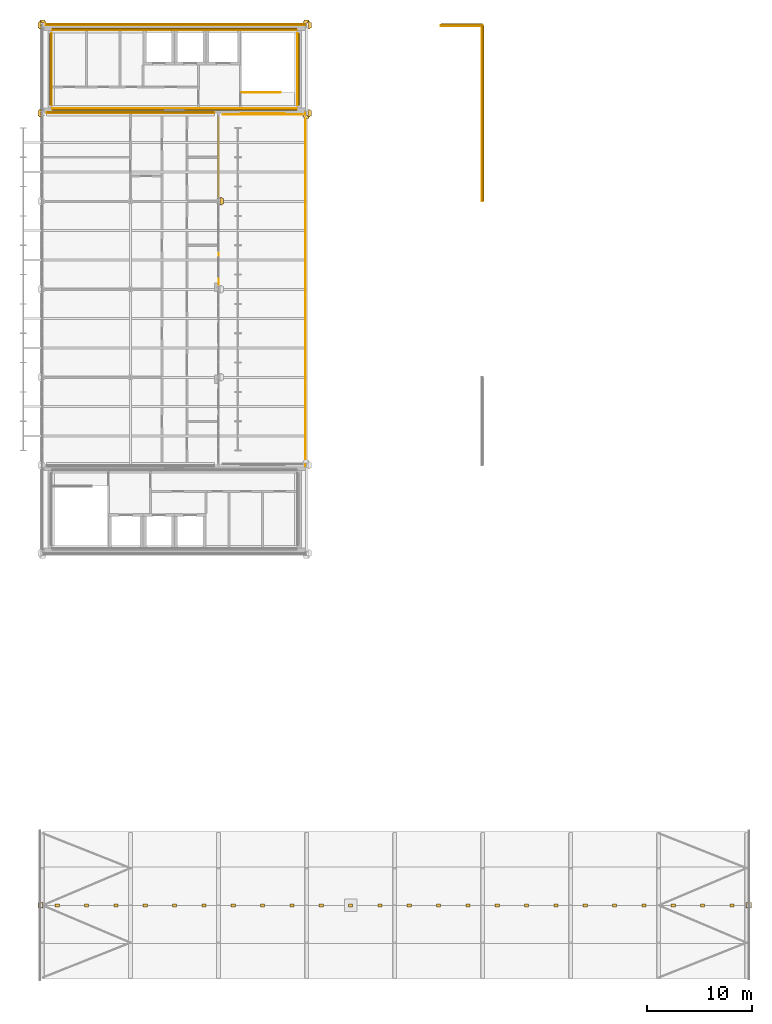
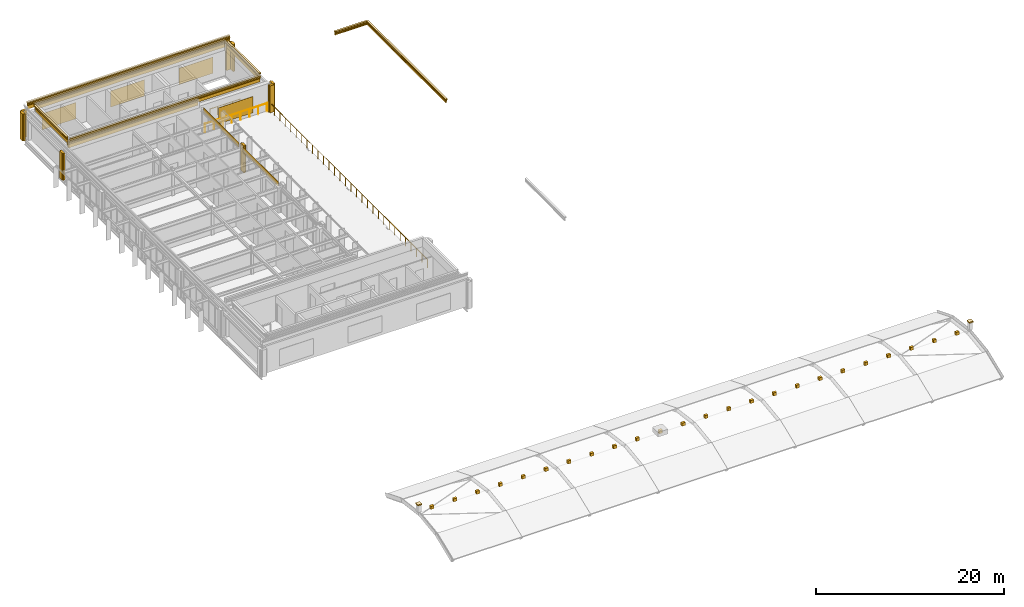
# One storey, part 31 of 31: 70 coverings, 3 railings.
"""IFC4 building model written with IfcOpenShell, lengths in metres."""

from ifc_helpers import new_model, si_unit, direction, frame, origin, origin_2d, place, context, subcontext, project, spatial, polyline, rectangle, circle, outline, extrude, material, layer, layer_set, type_object, element, save


model = new_model("IFC4")

# Units and contexts
model_context = context("Model", 3, precision=1e-05, world=origin(), true_north=direction((0.0, 1.0)))
body_context = subcontext(model_context, "Body", "Model", "MODEL_VIEW")
ifc_project = project(units=[si_unit("LENGTHUNIT", "METRE"), si_unit("AREAUNIT", "SQUARE_METRE"), si_unit("VOLUMEUNIT", "CUBIC_METRE"), si_unit("PLANEANGLEUNIT", "RADIAN"), si_unit("MASSUNIT", "GRAM", prefix="KILO")], contexts=[model_context])

# Site, building, storey
site_placement = place(None, origin())
site = spatial("IfcSite", under=ifc_project, at=site_placement, CompositionType="ELEMENT")
building_placement = place(site_placement, origin())
building = spatial("IfcBuilding", under=site, at=building_placement, Name="Catenary Quay Ferry Terminal", CompositionType="ELEMENT")
storey_placement = place(building_placement, frame((0.0, 0.0, 20.60009765625)))
storey = spatial("IfcBuildingStorey", under=building, at=storey_placement, Name="L04", CompositionType="ELEMENT", Elevation=20.60009765625)

# Coverings
ifc_material_1 = material(Name="Ceramic tile")
ifc_layer_1 = layer(ifc_material_1, 0.0400390625)
ifc_layer_set_1 = layer_set([ifc_layer_1], Name="CL2")
covering_type_1 = type_object("IfcCoveringType", Name="CL2", PredefinedType="CLADDING", material=ifc_layer_set_1)
covering_1_placement = place(storey_placement, origin())
element("IfcCovering", 1, at=covering_1_placement, inside=storey, type_object=covering_type_1, Name="Ceramic pier casing", PredefinedType="CLADDING", context=body_context, shape_type="SweptSolid", body=[
    extrude(outline(polyline([(25.050048828125, 201.949951171875), (24.8701171875, 201.949951171875), (24.8701171875, 201.85009765625), (24.75, 201.85009765625), (24.75, 201.35009765625), (24.8701171875, 201.35009765625), (24.8701171875, 201.25), (25.050048828125, 201.25), (25.050048828125, 201.949951171875)])), origin(), (0.0, 0.0, 1.0), 3.5),
])
covering_2_placement = place(storey_placement, origin())
element("IfcCovering", 2, at=covering_2_placement, inside=storey, type_object=covering_type_1, Name="Ceramic pier casing", PredefinedType="CLADDING", context=body_context, shape_type="SweptSolid", body=[
    extrude(outline(polyline([(25.050048828125, 210.35009765625), (24.8701171875, 210.35009765625), (24.8701171875, 210.25), (24.75, 210.25), (24.75, 209.75), (24.8701171875, 209.75), (24.8701171875, 209.64990234375), (25.050048828125, 209.64990234375), (25.050048828125, 210.35009765625)])), origin(), (0.0, 0.0, 1.0), 3.5),
])
covering_3_placement = place(storey_placement, origin())
element("IfcCovering", 3, at=covering_3_placement, inside=storey, type_object=covering_type_1, Name="Ceramic pier casing", PredefinedType="CLADDING", context=body_context, shape_type="SweptSolid", body=[
    extrude(outline(polyline([(25.550048828125, 210.199951171875), (25.550048828125, 210.3798828125), (25.449951171875, 210.3798828125), (25.449951171875, 210.5), (24.949951171875, 210.5), (24.949951171875, 210.3798828125), (24.85009765625, 210.3798828125), (24.85009765625, 210.199951171875), (25.550048828125, 210.199951171875)])), origin(), (0.0, 0.0, 1.0), 3.5),
])
covering_4_placement = place(storey_placement, origin())
element("IfcCovering", 4, at=covering_4_placement, inside=storey, type_object=covering_type_1, Name="Ceramic pier casing", PredefinedType="CLADDING", context=body_context, shape_type="SweptSolid", body=[
    extrude(outline(polyline([(50.550048828125, 201.25), (50.72998046875, 201.25), (50.72998046875, 201.35009765625), (50.85009765625, 201.35009765625), (50.85009765625, 201.85009765625), (50.72998046875, 201.85009765625), (50.72998046875, 201.949951171875), (50.550048828125, 201.949951171875), (50.550048828125, 201.25)])), origin(), (0.0, 0.0, 1.0), 3.5),
])
covering_5_placement = place(storey_placement, origin())
element("IfcCovering", 5, at=covering_5_placement, inside=storey, type_object=covering_type_1, Name="Ceramic pier casing", PredefinedType="CLADDING", context=body_context, shape_type="SweptSolid", body=[
    extrude(outline(polyline([(50.050048828125, 201.39990234375), (50.050048828125, 201.219970703125), (50.14990234375, 201.219970703125), (50.14990234375, 201.10009765625), (50.64990234375, 201.10009765625), (50.64990234375, 201.219970703125), (50.75, 201.219970703125), (50.75, 201.39990234375), (50.050048828125, 201.39990234375)])), origin(), (0.0, 0.0, 1.0), 3.5),
])
covering_6_placement = place(storey_placement, origin())
element("IfcCovering", 6, at=covering_6_placement, inside=storey, type_object=covering_type_1, Name="Ceramic pier casing", PredefinedType="CLADDING", context=body_context, shape_type="SweptSolid", body=[
    extrude(outline(polyline([(50.550048828125, 209.64990234375), (50.72998046875, 209.64990234375), (50.72998046875, 209.75), (50.85009765625, 209.75), (50.85009765625, 210.25), (50.72998046875, 210.25), (50.72998046875, 210.35009765625), (50.550048828125, 210.35009765625), (50.550048828125, 209.64990234375)])), origin(), (0.0, 0.0, 1.0), 3.5),
])
covering_7_placement = place(storey_placement, origin())
element("IfcCovering", 7, at=covering_7_placement, inside=storey, type_object=covering_type_1, Name="Ceramic pier casing", PredefinedType="CLADDING", context=body_context, shape_type="SweptSolid", body=[
    extrude(outline(polyline([(50.75, 210.199951171875), (50.75, 210.3798828125), (50.64990234375, 210.3798828125), (50.64990234375, 210.5), (50.14990234375, 210.5), (50.14990234375, 210.3798828125), (50.050048828125, 210.3798828125), (50.050048828125, 210.199951171875), (50.75, 210.199951171875)])), origin(), (0.0, 0.0, 1.0), 3.5),
])
covering_8_placement = place(storey_placement, origin())
element("IfcCovering", 8, at=covering_8_placement, inside=storey, type_object=covering_type_1, Name="Ceramic pier casing", PredefinedType="CLADDING", context=body_context, shape_type="SweptSolid", body=[
    extrude(outline(polyline([(42.14990234375, 192.85009765625), (42.330078125, 192.85009765625), (42.330078125, 192.949951171875), (42.449951171875, 192.949951171875), (42.449951171875, 193.449951171875), (42.330078125, 193.449951171875), (42.330078125, 193.550048828125), (42.14990234375, 193.550048828125), (42.14990234375, 192.85009765625)])), origin(), (0.0, 0.0, 1.0), 3.5),
])
ifc_material_2 = material(Name="Ceramic tile")
ifc_layer_2 = layer(ifc_material_2, 0.034912109375)
ifc_layer_set_2 = layer_set([ifc_layer_2], Name="CL5")
covering_type_2 = type_object("IfcCoveringType", Name="CL5", PredefinedType="CLADDING", material=ifc_layer_set_2)
for number, where, z_axis, x_axis, name in (
    (9, (29.39990234375, 210.017578125, 0.39990234375), (0.0, 0.0, 1.0), (1.0, 0.0, 0.0), "Core h210.0 cladding CV367"),
    (10, (37.800048828125, 210.017578125, 0.39990234375), (0.0, 0.0, 1.0), (1.0, 0.0, 0.0), "Core h210.0 cladding CV368"),
    (11, (46.199951171875, 210.017578125, 0.39990234375), (0.0, 0.0, 1.0), (1.0, 0.0, 0.0), "Core h210.0 cladding CV369"),
    (12, (46.199951171875, 201.58251953125, 0.39990234375), (0.0, 0.0, 1.0), (1.0, 0.0, 0.0), "Core h201.6 cladding CV370"),
):
    element("IfcCovering", number, at=place(storey_placement, frame(where, z_axis=z_axis, x_axis=x_axis)), inside=storey, type_object=covering_type_2, Name=name, PredefinedType="CLADDING", context=body_context, shape_type="SweptSolid", body=[
        extrude(rectangle(XDim=4.199951171875, YDim=0.034912109375, at=origin_2d()), origin(), (0.0, 0.0, 1.0), 2.10009765625),
    ])
ifc_material_3 = material(Name="Glazed ceramic tile, ochre")
ifc_layer_3 = layer(ifc_material_3, 0.030029296875)
ifc_layer_set_3 = layer_set([ifc_layer_3], Name="CL6")
covering_type_3 = type_object("IfcCoveringType", Name="CL6", PredefinedType="CLADDING", material=ifc_layer_set_3)
for number, where, z_axis, x_axis, name in (
    (13, (42.014892578125, 189.0, 2.89990234375), (0.0, 0.0, 1.0), (1.0, 0.0, 0.0), "Band wing v42.0 cladding CV373"),
    (14, (42.014892578125, 197.39990234375, 2.89990234375), (0.0, 0.0, 1.0), (1.0, 0.0, 0.0), "Band wing v42.0 cladding CV374"),
):
    element("IfcCovering", number, at=place(storey_placement, frame(where, z_axis=z_axis, x_axis=x_axis)), inside=storey, type_object=covering_type_3, Name=name, PredefinedType="CLADDING", context=body_context, shape_type="SweptSolid", body=[
        extrude(rectangle(XDim=0.030029296875, YDim=7.5, at=origin_2d()), origin(), (0.0, 0.0, 1.0), 0.60009765625),
    ])
ifc_material_4 = material(Name="Facing brick", Category="masonry")
ifc_layer_4 = layer(ifc_material_4, 0.10009765625)
ifc_layer_set_4 = layer_set([ifc_layer_4], Name="CN1")
covering_type_4 = type_object("IfcCoveringType", Name="CN1", PredefinedType="CLADDING", material=ifc_layer_set_4)
covering_9_placement = place(storey_placement, frame((37.949951171875, 210.03759765625, 4.14990234375), z_axis=(0.0, 0.0, 1.0), x_axis=(1.0, 0.0, 0.0)))
element("IfcCovering", 15, at=covering_9_placement, inside=storey, type_object=covering_type_4, Name="Brick corbelled cornice", PredefinedType="CLADDING", context=body_context, shape_type="SweptSolid", body=[
    extrude(rectangle(XDim=24.860107421875, YDim=0.074951171875, at=origin_2d()), origin(), (0.0, 0.0, 1.0), 0.14990234375),
])
covering_10_placement = place(storey_placement, frame((37.949951171875, 210.074951171875, 4.300048828125), z_axis=(0.0, 0.0, 1.0), x_axis=(1.0, 0.0, 0.0)))
element("IfcCovering", 16, at=covering_10_placement, inside=storey, type_object=covering_type_4, Name="Brick corbelled cornice", PredefinedType="CLADDING", context=body_context, shape_type="SweptSolid", body=[
    extrude(rectangle(XDim=24.860107421875, YDim=0.14990234375, at=origin_2d()), origin(), (0.0, 0.0, 1.0), 0.14990234375),
])
covering_11_placement = place(storey_placement, frame((37.949951171875, 210.112548828125, 4.449951171875), z_axis=(0.0, 0.0, 1.0), x_axis=(1.0, 0.0, 0.0)))
element("IfcCovering", 17, at=covering_11_placement, inside=storey, type_object=covering_type_4, Name="Brick corbelled cornice", PredefinedType="CLADDING", context=body_context, shape_type="SweptSolid", body=[
    extrude(rectangle(XDim=24.860107421875, YDim=0.22509765625, at=origin_2d()), origin(), (0.0, 0.0, 1.0), 0.14990234375),
])
covering_12_placement = place(storey_placement, frame((65.199951171875, 209.96240234375, 0.14990234375), z_axis=(0.0, 0.0, 1.0), x_axis=(1.0, 0.0, 0.0)))
element("IfcCovering", 18, at=covering_12_placement, inside=storey, type_object=covering_type_4, Name="Brick corbelled cornice", PredefinedType="CLADDING", context=body_context, shape_type="SweptSolid", body=[
    extrude(rectangle(XDim=3.9599609375, YDim=0.074951171875, at=origin_2d()), origin(), (0.0, 0.0, 1.0), 0.14990234375),
])
covering_13_placement = place(storey_placement, frame((65.199951171875, 210.0, 0.300048828125), z_axis=(0.0, 0.0, 1.0), x_axis=(1.0, 0.0, 0.0)))
element("IfcCovering", 19, at=covering_13_placement, inside=storey, type_object=covering_type_4, Name="Brick corbelled cornice", PredefinedType="CLADDING", context=body_context, shape_type="SweptSolid", body=[
    extrude(rectangle(XDim=3.9599609375, YDim=0.14990234375, at=origin_2d()), origin(), (0.0, 0.0, 1.0), 0.14990234375),
])
covering_14_placement = place(storey_placement, frame((65.199951171875, 210.03759765625, 0.449951171875), z_axis=(0.0, 0.0, 1.0), x_axis=(1.0, 0.0, 0.0)))
element("IfcCovering", 20, at=covering_14_placement, inside=storey, type_object=covering_type_4, Name="Brick corbelled cornice", PredefinedType="CLADDING", context=body_context, shape_type="SweptSolid", body=[
    extrude(rectangle(XDim=3.9599609375, YDim=0.22509765625, at=origin_2d()), origin(), (0.0, 0.0, 1.0), 0.14990234375),
])
covering_15_placement = place(storey_placement, frame((67.16259765625, 201.60009765625, 0.14990234375), z_axis=(0.0, 0.0, 1.0), x_axis=(1.0, 0.0, 0.0)))
element("IfcCovering", 21, at=covering_15_placement, inside=storey, type_object=covering_type_4, Name="Brick corbelled cornice", PredefinedType="CLADDING", context=body_context, shape_type="SweptSolid", body=[
    extrude(rectangle(XDim=0.074951171875, YDim=16.760009765625, at=origin_2d()), origin(), (0.0, 0.0, 1.0), 0.14990234375),
])
covering_16_placement = place(storey_placement, frame((67.199951171875, 201.60009765625, 0.300048828125), z_axis=(0.0, 0.0, 1.0), x_axis=(1.0, 0.0, 0.0)))
element("IfcCovering", 22, at=covering_16_placement, inside=storey, type_object=covering_type_4, Name="Brick corbelled cornice", PredefinedType="CLADDING", context=body_context, shape_type="SweptSolid", body=[
    extrude(rectangle(XDim=0.14990234375, YDim=16.760009765625, at=origin_2d()), origin(), (0.0, 0.0, 1.0), 0.14990234375),
])
covering_17_placement = place(storey_placement, frame((67.237548828125, 201.60009765625, 0.449951171875), z_axis=(0.0, 0.0, 1.0), x_axis=(1.0, 0.0, 0.0)))
element("IfcCovering", 23, at=covering_17_placement, inside=storey, type_object=covering_type_4, Name="Brick corbelled cornice", PredefinedType="CLADDING", context=body_context, shape_type="SweptSolid", body=[
    extrude(rectangle(XDim=0.22509765625, YDim=16.760009765625, at=origin_2d()), origin(), (0.0, 0.0, 1.0), 0.14990234375),
])
covering_18_placement = place(storey_placement, frame((37.800048828125, 209.53759765625, 4.14990234375), z_axis=(0.0, 0.0, 1.0), x_axis=(1.0, 0.0, 0.0)))
element("IfcCovering", 24, at=covering_18_placement, inside=storey, type_object=covering_type_4, Name="Brick corbelled cornice", PredefinedType="CLADDING", context=body_context, shape_type="SweptSolid", body=[
    extrude(rectangle(XDim=23.360107421875, YDim=0.074951171875, at=origin_2d()), origin(), (0.0, 0.0, 1.0), 0.14990234375),
])
covering_19_placement = place(storey_placement, frame((37.800048828125, 209.574951171875, 4.300048828125), z_axis=(0.0, 0.0, 1.0), x_axis=(1.0, 0.0, 0.0)))
element("IfcCovering", 25, at=covering_19_placement, inside=storey, type_object=covering_type_4, Name="Brick corbelled cornice", PredefinedType="CLADDING", context=body_context, shape_type="SweptSolid", body=[
    extrude(rectangle(XDim=23.360107421875, YDim=0.14990234375, at=origin_2d()), origin(), (0.0, 0.0, 1.0), 0.14990234375),
])
covering_20_placement = place(storey_placement, frame((37.800048828125, 209.612548828125, 4.449951171875), z_axis=(0.0, 0.0, 1.0), x_axis=(1.0, 0.0, 0.0)))
element("IfcCovering", 26, at=covering_20_placement, inside=storey, type_object=covering_type_4, Name="Brick corbelled cornice", PredefinedType="CLADDING", context=body_context, shape_type="SweptSolid", body=[
    extrude(rectangle(XDim=23.360107421875, YDim=0.22509765625, at=origin_2d()), origin(), (0.0, 0.0, 1.0), 0.14990234375),
])
covering_21_placement = place(storey_placement, frame((37.800048828125, 202.0625, 4.14990234375), z_axis=(0.0, 0.0, 1.0), x_axis=(1.0, 0.0, 0.0)))
element("IfcCovering", 27, at=covering_21_placement, inside=storey, type_object=covering_type_4, Name="Brick corbelled cornice", PredefinedType="CLADDING", context=body_context, shape_type="SweptSolid", body=[
    extrude(rectangle(XDim=23.360107421875, YDim=0.074951171875, at=origin_2d()), origin(), (0.0, 0.0, 1.0), 0.14990234375),
])
covering_22_placement = place(storey_placement, frame((37.800048828125, 202.02490234375, 4.300048828125), z_axis=(0.0, 0.0, 1.0), x_axis=(1.0, 0.0, 0.0)))
element("IfcCovering", 28, at=covering_22_placement, inside=storey, type_object=covering_type_4, Name="Brick corbelled cornice", PredefinedType="CLADDING", context=body_context, shape_type="SweptSolid", body=[
    extrude(rectangle(XDim=23.360107421875, YDim=0.14990234375, at=origin_2d()), origin(), (0.0, 0.0, 1.0), 0.14990234375),
])
covering_23_placement = place(storey_placement, frame((37.800048828125, 201.987548828125, 4.449951171875), z_axis=(0.0, 0.0, 1.0), x_axis=(1.0, 0.0, 0.0)))
element("IfcCovering", 29, at=covering_23_placement, inside=storey, type_object=covering_type_4, Name="Brick corbelled cornice", PredefinedType="CLADDING", context=body_context, shape_type="SweptSolid", body=[
    extrude(rectangle(XDim=23.360107421875, YDim=0.22509765625, at=origin_2d()), origin(), (0.0, 0.0, 1.0), 0.14990234375),
])
covering_24_placement = place(storey_placement, frame((33.60009765625, 201.637451171875, 4.14990234375), z_axis=(0.0, 0.0, 1.0), x_axis=(1.0, 0.0, 0.0)))
element("IfcCovering", 30, at=covering_24_placement, inside=storey, type_object=covering_type_4, Name="Brick corbelled cornice", PredefinedType="CLADDING", context=body_context, shape_type="SweptSolid", body=[
    extrude(rectangle(XDim=15.954833984375, YDim=0.074951171875, at=origin_2d()), origin(), (0.0, 0.0, 1.0), 0.14990234375),
])
covering_25_placement = place(storey_placement, frame((33.60009765625, 201.675048828125, 4.300048828125), z_axis=(0.0, 0.0, 1.0), x_axis=(1.0, 0.0, 0.0)))
element("IfcCovering", 31, at=covering_25_placement, inside=storey, type_object=covering_type_4, Name="Brick corbelled cornice", PredefinedType="CLADDING", context=body_context, shape_type="SweptSolid", body=[
    extrude(rectangle(XDim=15.954833984375, YDim=0.14990234375, at=origin_2d()), origin(), (0.0, 0.0, 1.0), 0.14990234375),
])
covering_26_placement = place(storey_placement, frame((33.60009765625, 201.71240234375, 4.449951171875), z_axis=(0.0, 0.0, 1.0), x_axis=(1.0, 0.0, 0.0)))
element("IfcCovering", 32, at=covering_26_placement, inside=storey, type_object=covering_type_4, Name="Brick corbelled cornice", PredefinedType="CLADDING", context=body_context, shape_type="SweptSolid", body=[
    extrude(rectangle(XDim=15.954833984375, YDim=0.22509765625, at=origin_2d()), origin(), (0.0, 0.0, 1.0), 0.14990234375),
])
covering_27_placement = place(storey_placement, frame((26.0625, 205.800048828125, 4.14990234375), z_axis=(0.0, 0.0, 1.0), x_axis=(1.0, 0.0, 0.0)))
element("IfcCovering", 33, at=covering_27_placement, inside=storey, type_object=covering_type_4, Name="Brick corbelled cornice", PredefinedType="CLADDING", context=body_context, shape_type="SweptSolid", body=[
    extrude(rectangle(XDim=0.074951171875, YDim=6.860107421875, at=origin_2d()), origin(), (0.0, 0.0, 1.0), 0.14990234375),
])
covering_28_placement = place(storey_placement, frame((26.02490234375, 205.800048828125, 4.300048828125), z_axis=(0.0, 0.0, 1.0), x_axis=(1.0, 0.0, 0.0)))
element("IfcCovering", 34, at=covering_28_placement, inside=storey, type_object=covering_type_4, Name="Brick corbelled cornice", PredefinedType="CLADDING", context=body_context, shape_type="SweptSolid", body=[
    extrude(rectangle(XDim=0.14990234375, YDim=6.860107421875, at=origin_2d()), origin(), (0.0, 0.0, 1.0), 0.14990234375),
])
covering_29_placement = place(storey_placement, frame((25.987548828125, 205.800048828125, 4.449951171875), z_axis=(0.0, 0.0, 1.0), x_axis=(1.0, 0.0, 0.0)))
element("IfcCovering", 35, at=covering_29_placement, inside=storey, type_object=covering_type_4, Name="Brick corbelled cornice", PredefinedType="CLADDING", context=body_context, shape_type="SweptSolid", body=[
    extrude(rectangle(XDim=0.22509765625, YDim=6.860107421875, at=origin_2d()), origin(), (0.0, 0.0, 1.0), 0.14990234375),
])
covering_30_placement = place(storey_placement, frame((49.53759765625, 205.800048828125, 4.14990234375), z_axis=(0.0, 0.0, 1.0), x_axis=(1.0, 0.0, 0.0)))
element("IfcCovering", 36, at=covering_30_placement, inside=storey, type_object=covering_type_4, Name="Brick corbelled cornice", PredefinedType="CLADDING", context=body_context, shape_type="SweptSolid", body=[
    extrude(rectangle(XDim=0.074951171875, YDim=6.860107421875, at=origin_2d()), origin(), (0.0, 0.0, 1.0), 0.14990234375),
])
covering_31_placement = place(storey_placement, frame((49.574951171875, 205.800048828125, 4.300048828125), z_axis=(0.0, 0.0, 1.0), x_axis=(1.0, 0.0, 0.0)))
element("IfcCovering", 37, at=covering_31_placement, inside=storey, type_object=covering_type_4, Name="Brick corbelled cornice", PredefinedType="CLADDING", context=body_context, shape_type="SweptSolid", body=[
    extrude(rectangle(XDim=0.14990234375, YDim=6.860107421875, at=origin_2d()), origin(), (0.0, 0.0, 1.0), 0.14990234375),
])
covering_32_placement = place(storey_placement, frame((49.612548828125, 205.800048828125, 4.449951171875), z_axis=(0.0, 0.0, 1.0), x_axis=(1.0, 0.0, 0.0)))
element("IfcCovering", 38, at=covering_32_placement, inside=storey, type_object=covering_type_4, Name="Brick corbelled cornice", PredefinedType="CLADDING", context=body_context, shape_type="SweptSolid", body=[
    extrude(rectangle(XDim=0.22509765625, YDim=6.860107421875, at=origin_2d()), origin(), (0.0, 0.0, 1.0), 0.14990234375),
])
ifc_material_5 = material(Name="Ceramic tile")
ifc_layer_5 = layer(ifc_material_5, 0.300048828125)
ifc_layer_set_5 = layer_set([ifc_layer_5], Name="CR1")
covering_type_5 = type_object("IfcCoveringType", Name="CR1", PredefinedType="CLADDING", material=ifc_layer_set_5)
for number, where, z_axis, x_axis, name in (
    (39, (26.60009765625, 126.0, 2.526123046875), (0.0, 0.0, 1.0), (1.0, 0.0, 0.0), "Ridge cresting, departure vault"),
    (40, (29.39990234375, 126.0, 2.526123046875), (0.0, 0.0, 1.0), (1.0, 0.0, 0.0), "Ridge cresting, departure vault"),
    (41, (32.199951171875, 126.0, 2.526123046875), (0.0, 0.0, 1.0), (1.0, 0.0, 0.0), "Ridge cresting, departure vault"),
    (42, (35.0, 126.0, 2.526123046875), (0.0, 0.0, 1.0), (1.0, 0.0, 0.0), "Ridge cresting, departure vault"),
    (43, (37.800048828125, 126.0, 2.526123046875), (0.0, 0.0, 1.0), (1.0, 0.0, 0.0), "Ridge cresting, departure vault"),
    (44, (40.60009765625, 126.0, 2.526123046875), (0.0, 0.0, 1.0), (1.0, 0.0, 0.0), "Ridge cresting, departure vault"),
    (45, (43.39990234375, 126.0, 2.526123046875), (0.0, 0.0, 1.0), (1.0, 0.0, 0.0), "Ridge cresting, departure vault"),
    (46, (46.199951171875, 126.0, 2.526123046875), (0.0, 0.0, 1.0), (1.0, 0.0, 0.0), "Ridge cresting, departure vault"),
    (47, (49.0, 126.0, 2.526123046875), (0.0, 0.0, 1.0), (1.0, 0.0, 0.0), "Ridge cresting, departure vault"),
    (48, (51.800048828125, 126.0, 2.526123046875), (0.0, 0.0, 1.0), (1.0, 0.0, 0.0), "Ridge cresting, departure vault"),
    (49, (54.60009765625, 126.0, 2.526123046875), (0.0, 0.0, 1.0), (1.0, 0.0, 0.0), "Ridge cresting, departure vault"),
    (50, (57.39990234375, 126.0, 2.526123046875), (0.0, 0.0, 1.0), (1.0, 0.0, 0.0), "Ridge cresting, departure vault"),
    (51, (60.199951171875, 126.0, 2.526123046875), (0.0, 0.0, 1.0), (1.0, 0.0, 0.0), "Ridge cresting, departure vault"),
    (52, (63.0, 126.0, 2.526123046875), (0.0, 0.0, 1.0), (1.0, 0.0, 0.0), "Ridge cresting, departure vault"),
    (53, (65.800048828125, 126.0, 2.526123046875), (0.0, 0.0, 1.0), (1.0, 0.0, 0.0), "Ridge cresting, departure vault"),
    (54, (68.60009765625, 126.0, 2.526123046875), (0.0, 0.0, 1.0), (1.0, 0.0, 0.0), "Ridge cresting, departure vault"),
    (55, (71.39990234375, 126.0, 2.526123046875), (0.0, 0.0, 1.0), (1.0, 0.0, 0.0), "Ridge cresting, departure vault"),
    (56, (74.199951171875, 126.0, 2.526123046875), (0.0, 0.0, 1.0), (1.0, 0.0, 0.0), "Ridge cresting, departure vault"),
    (57, (77.0, 126.0, 2.526123046875), (0.0, 0.0, 1.0), (1.0, 0.0, 0.0), "Ridge cresting, departure vault"),
    (58, (79.800048828125, 126.0, 2.526123046875), (0.0, 0.0, 1.0), (1.0, 0.0, 0.0), "Ridge cresting, departure vault"),
    (59, (82.60009765625, 126.0, 2.526123046875), (0.0, 0.0, 1.0), (1.0, 0.0, 0.0), "Ridge cresting, departure vault"),
    (60, (85.39990234375, 126.0, 2.526123046875), (0.0, 0.0, 1.0), (1.0, 0.0, 0.0), "Ridge cresting, departure vault"),
    (61, (88.199951171875, 126.0, 2.526123046875), (0.0, 0.0, 1.0), (1.0, 0.0, 0.0), "Ridge cresting, departure vault"),
    (62, (91.0, 126.0, 2.526123046875), (0.0, 0.0, 1.0), (1.0, 0.0, 0.0), "Ridge cresting, departure vault"),
):
    element("IfcCovering", number, at=place(storey_placement, frame(where, z_axis=z_axis, x_axis=x_axis)), inside=storey, type_object=covering_type_5, Name=name, PredefinedType="CLADDING", context=body_context, shape_type="SweptSolid", body=[
        extrude(rectangle(XDim=0.39990234375, YDim=0.300048828125, at=origin_2d()), origin(), (0.0, 0.0, 1.0), 0.39990234375),
    ])
ifc_material_6 = material(Name="Pale glazed ceramic tile")
ifc_layer_6 = layer(ifc_material_6, 0.14990234375)
ifc_layer_set_6 = layer_set([ifc_layer_6], Name="FN2")
covering_type_6 = type_object("IfcCoveringType", Name="FN2", PredefinedType="CLADDING", material=ifc_layer_set_6)
for number, where, z_axis, x_axis, name in (
    (63, (24.996826171875, 126.0, 3.6044921875), (0.0, 0.0, 1.0), (1.0, 0.0, 0.0), "Glazed ceramic finial, cap"),
    (64, (92.603271484375, 126.0, 3.6044921875), (0.0, 0.0, 1.0), (1.0, 0.0, 0.0), "Glazed ceramic finial, cap"),
):
    element("IfcCovering", number, at=place(storey_placement, frame(where, z_axis=z_axis, x_axis=x_axis)), inside=storey, type_object=covering_type_6, Name=name, PredefinedType="CLADDING", context=body_context, shape_type="SweptSolid", body=[
        extrude(rectangle(XDim=0.5, YDim=0.5, at=origin_2d()), origin(), (0.0, 0.0, 1.0), 0.14990234375),
    ])
ifc_material_7 = material(Name="Ceramic tile")
ifc_layer_7 = layer(ifc_material_7, 0.030029296875)
ifc_layer_set_7 = layer_set([ifc_layer_7], Name="FR1")
covering_type_7 = type_object("IfcCoveringType", Name="FR1", PredefinedType="CLADDING", material=ifc_layer_set_7)
covering_33_placement = place(storey_placement, frame((37.949951171875, 210.014892578125, 3.69970703125), z_axis=(0.0, 0.0, 1.0), x_axis=(1.0, 0.0, 0.0)))
element("IfcCovering", 65, at=covering_33_placement, inside=storey, type_object=covering_type_7, Name="Glazed tile frieze", PredefinedType="CLADDING", context=body_context, shape_type="SweptSolid", body=[
    extrude(rectangle(XDim=24.860107421875, YDim=0.030029296875, at=origin_2d()), origin(), (0.0, 0.0, 1.0), 0.449951171875),
])
for number, where, z_axis, x_axis, name in (
    (66, (37.800048828125, 209.514892578125, 3.69970703125), (0.0, 0.0, 1.0), (1.0, 0.0, 0.0), "Glazed tile frieze"),
    (67, (37.800048828125, 202.0849609375, 3.69970703125), (0.0, 0.0, 1.0), (1.0, 0.0, 0.0), "Glazed tile frieze"),
):
    element("IfcCovering", number, at=place(storey_placement, frame(where, z_axis=z_axis, x_axis=x_axis)), inside=storey, type_object=covering_type_7, Name=name, PredefinedType="CLADDING", context=body_context, shape_type="SweptSolid", body=[
        extrude(rectangle(XDim=23.360107421875, YDim=0.030029296875, at=origin_2d()), origin(), (0.0, 0.0, 1.0), 0.449951171875),
    ])
covering_34_placement = place(storey_placement, frame((33.60009765625, 201.614990234375, 3.69970703125), z_axis=(0.0, 0.0, 1.0), x_axis=(1.0, 0.0, 0.0)))
element("IfcCovering", 68, at=covering_34_placement, inside=storey, type_object=covering_type_7, Name="Glazed tile frieze", PredefinedType="CLADDING", context=body_context, shape_type="SweptSolid", body=[
    extrude(rectangle(XDim=15.954833984375, YDim=0.030029296875, at=origin_2d()), origin(), (0.0, 0.0, 1.0), 0.449951171875),
])
for number, where, z_axis, x_axis, name in (
    (69, (26.0849609375, 205.800048828125, 3.69970703125), (0.0, 0.0, 1.0), (1.0, 0.0, 0.0), "Glazed tile frieze"),
    (70, (49.514892578125, 205.800048828125, 3.69970703125), (0.0, 0.0, 1.0), (1.0, 0.0, 0.0), "Glazed tile frieze"),
):
    element("IfcCovering", number, at=place(storey_placement, frame(where, z_axis=z_axis, x_axis=x_axis)), inside=storey, type_object=covering_type_7, Name=name, PredefinedType="CLADDING", context=body_context, shape_type="SweptSolid", body=[
        extrude(rectangle(XDim=0.030029296875, YDim=6.860107421875, at=origin_2d()), origin(), (0.0, 0.0, 1.0), 0.449951171875),
    ])

# Railings
ifc_material_8 = material(Name="Steel and glass", Category="steel")
railing_type_1 = type_object("IfcRailingType", Name="GI1", PredefinedType="GUARDRAIL", material=ifc_material_8)
railing_1_placement = place(storey_placement, frame((44.199951171875, 203.60009765625, 0.0)))
element("IfcRailing", 71, at=railing_1_placement, inside=storey, type_object=railing_type_1, Name="HS1 well guard GI111", PredefinedType="GUARDRAIL", context=body_context, shape_type="SweptSolid", body=[
    extrude(circle(Radius=0.02392578125, at=origin_2d()), frame((0.0, 0.0, 1.076171875), z_axis=(1.0, 0.0, 0.0), x_axis=(0.0, 1.0, 0.0)), (0.0, 0.0, 1.0), 3.699951171875),
    extrude(circle(Radius=0.02099609375, at=origin_2d()), origin(), (0.0, 0.0, 1.0), 1.052001953125),
    extrude(circle(Radius=0.02099609375, at=origin_2d()), frame((0.925048828125, 0.0, 0.0)), (0.0, 0.0, 1.0), 1.052001953125),
    extrude(circle(Radius=0.02099609375, at=origin_2d()), frame((1.85009765625, 0.0, 0.0)), (0.0, 0.0, 1.0), 1.052001953125),
    extrude(circle(Radius=0.02099609375, at=origin_2d()), frame((2.77490234375, 0.0, 0.0)), (0.0, 0.0, 1.0), 1.052001953125),
    extrude(circle(Radius=0.02099609375, at=origin_2d()), frame((3.699951171875, 0.0, 0.0)), (0.0, 0.0, 1.0), 1.052001953125),
])
ifc_material_9 = material(Name="Steel", Category="steel")
railing_type_2 = type_object("IfcRailingType", Name="GT1", PredefinedType="GUARDRAIL", material=ifc_material_9)
railing_2_placement = place(storey_placement, frame((50.300048828125, 167.949951171875, 0.0)))
element("IfcRailing", 72, at=railing_2_placement, inside=storey, type_object=railing_type_2, Name="Roof terrace guard GR30", PredefinedType="GUARDRAIL", context=body_context, shape_type="SweptSolid", body=[
    extrude(circle(Radius=0.02392578125, at=origin_2d()), frame((0.0, 0.0, 1.076171875), z_axis=(0.0, 1.0, 0.0), x_axis=(-1.0, 0.0, 0.0)), (0.0, 0.0, 1.0), 33.699951171875),
    extrude(circle(Radius=0.02099609375, at=origin_2d()), origin(), (0.0, 0.0, 1.0), 1.052001953125),
    extrude(circle(Radius=0.02099609375, at=origin_2d()), frame((0.0, 1.162109375, 0.0)), (0.0, 0.0, 1.0), 1.052001953125),
    extrude(circle(Radius=0.02099609375, at=origin_2d()), frame((0.0, 2.32421875, 0.0)), (0.0, 0.0, 1.0), 1.052001953125),
    extrude(circle(Radius=0.02099609375, at=origin_2d()), frame((0.0, 3.486083984375, 0.0)), (0.0, 0.0, 1.0), 1.052001953125),
    extrude(circle(Radius=0.02099609375, at=origin_2d()), frame((0.0, 4.648193359375, 0.0)), (0.0, 0.0, 1.0), 1.052001953125),
    extrude(circle(Radius=0.02099609375, at=origin_2d()), frame((0.0, 5.810302734375, 0.0)), (0.0, 0.0, 1.0), 1.052001953125),
    extrude(circle(Radius=0.02099609375, at=origin_2d()), frame((0.0, 6.972412109375, 0.0)), (0.0, 0.0, 1.0), 1.052001953125),
    extrude(circle(Radius=0.02099609375, at=origin_2d()), frame((0.0, 8.134521484375, 0.0)), (0.0, 0.0, 1.0), 1.052001953125),
    extrude(circle(Radius=0.02099609375, at=origin_2d()), frame((0.0, 9.296630859375, 0.0)), (0.0, 0.0, 1.0), 1.052001953125),
    extrude(circle(Radius=0.02099609375, at=origin_2d()), frame((0.0, 10.45849609375, 0.0)), (0.0, 0.0, 1.0), 1.052001953125),
    extrude(circle(Radius=0.02099609375, at=origin_2d()), frame((0.0, 11.62060546875, 0.0)), (0.0, 0.0, 1.0), 1.052001953125),
    extrude(circle(Radius=0.02099609375, at=origin_2d()), frame((0.0, 12.78271484375, 0.0)), (0.0, 0.0, 1.0), 1.052001953125),
    extrude(circle(Radius=0.02099609375, at=origin_2d()), frame((0.0, 13.94482421875, 0.0)), (0.0, 0.0, 1.0), 1.052001953125),
    extrude(circle(Radius=0.02099609375, at=origin_2d()), frame((0.0, 15.10693359375, 0.0)), (0.0, 0.0, 1.0), 1.052001953125),
    extrude(circle(Radius=0.02099609375, at=origin_2d()), frame((0.0, 16.26904296875, 0.0)), (0.0, 0.0, 1.0), 1.052001953125),
    extrude(circle(Radius=0.02099609375, at=origin_2d()), frame((0.0, 17.430908203125, 0.0)), (0.0, 0.0, 1.0), 1.052001953125),
    extrude(circle(Radius=0.02099609375, at=origin_2d()), frame((0.0, 18.593017578125, 0.0)), (0.0, 0.0, 1.0), 1.052001953125),
    extrude(circle(Radius=0.02099609375, at=origin_2d()), frame((0.0, 19.755126953125, 0.0)), (0.0, 0.0, 1.0), 1.052001953125),
    extrude(circle(Radius=0.02099609375, at=origin_2d()), frame((0.0, 20.917236328125, 0.0)), (0.0, 0.0, 1.0), 1.052001953125),
    extrude(circle(Radius=0.02099609375, at=origin_2d()), frame((0.0, 22.079345703125, 0.0)), (0.0, 0.0, 1.0), 1.052001953125),
    extrude(circle(Radius=0.02099609375, at=origin_2d()), frame((0.0, 23.241455078125, 0.0)), (0.0, 0.0, 1.0), 1.052001953125),
    extrude(circle(Radius=0.02099609375, at=origin_2d()), frame((0.0, 24.4033203125, 0.0)), (0.0, 0.0, 1.0), 1.052001953125),
    extrude(circle(Radius=0.02099609375, at=origin_2d()), frame((0.0, 25.5654296875, 0.0)), (0.0, 0.0, 1.0), 1.052001953125),
    extrude(circle(Radius=0.02099609375, at=origin_2d()), frame((0.0, 26.7275390625, 0.0)), (0.0, 0.0, 1.0), 1.052001953125),
    extrude(circle(Radius=0.02099609375, at=origin_2d()), frame((0.0, 27.8896484375, 0.0)), (0.0, 0.0, 1.0), 1.052001953125),
    extrude(circle(Radius=0.02099609375, at=origin_2d()), frame((0.0, 29.0517578125, 0.0)), (0.0, 0.0, 1.0), 1.052001953125),
    extrude(circle(Radius=0.02099609375, at=origin_2d()), frame((0.0, 30.2138671875, 0.0)), (0.0, 0.0, 1.0), 1.052001953125),
    extrude(circle(Radius=0.02099609375, at=origin_2d()), frame((0.0, 31.375732421875, 0.0)), (0.0, 0.0, 1.0), 1.052001953125),
    extrude(circle(Radius=0.02099609375, at=origin_2d()), frame((0.0, 32.537841796875, 0.0)), (0.0, 0.0, 1.0), 1.052001953125),
    extrude(circle(Radius=0.02099609375, at=origin_2d()), frame((0.0, 33.699951171875, 0.0)), (0.0, 0.0, 1.0), 1.052001953125),
])
railing_3_placement = place(storey_placement, frame((42.402587890625, 201.5, 0.0)))
element("IfcRailing", 73, at=railing_3_placement, inside=storey, type_object=railing_type_2, Name="Roof guard GR32", PredefinedType="GUARDRAIL", context=body_context, shape_type="SweptSolid", body=[
    extrude(circle(Radius=0.02392578125, at=origin_2d()), frame((0.0, 0.0, 1.076171875), z_axis=(1.0, 0.0, 0.0), x_axis=(0.0, 1.0, 0.0)), (0.0, 0.0, 1.0), 7.5947265625),
    extrude(circle(Radius=0.02099609375, at=origin_2d()), origin(), (0.0, 0.0, 1.0), 1.052001953125),
    extrude(circle(Radius=0.02099609375, at=origin_2d()), frame((1.0849609375, 0.0, 0.0)), (0.0, 0.0, 1.0), 1.052001953125),
    extrude(circle(Radius=0.02099609375, at=origin_2d()), frame((2.169921875, 0.0, 0.0)), (0.0, 0.0, 1.0), 1.052001953125),
    extrude(circle(Radius=0.02099609375, at=origin_2d()), frame((3.2548828125, 0.0, 0.0)), (0.0, 0.0, 1.0), 1.052001953125),
    extrude(circle(Radius=0.02099609375, at=origin_2d()), frame((4.33984375, 0.0, 0.0)), (0.0, 0.0, 1.0), 1.052001953125),
    extrude(circle(Radius=0.02099609375, at=origin_2d()), frame((5.4248046875, 0.0, 0.0)), (0.0, 0.0, 1.0), 1.052001953125),
    extrude(circle(Radius=0.02099609375, at=origin_2d()), frame((6.509765625, 0.0, 0.0)), (0.0, 0.0, 1.0), 1.052001953125),
    extrude(circle(Radius=0.02099609375, at=origin_2d()), frame((7.5947265625, 0.0, 0.0)), (0.0, 0.0, 1.0), 1.052001953125),
])

save(model, "model.ifc")
